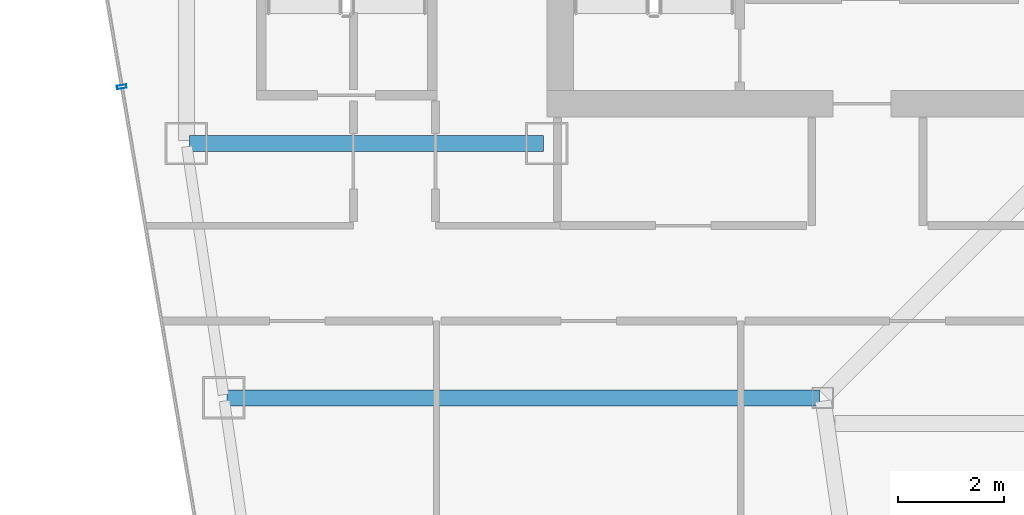
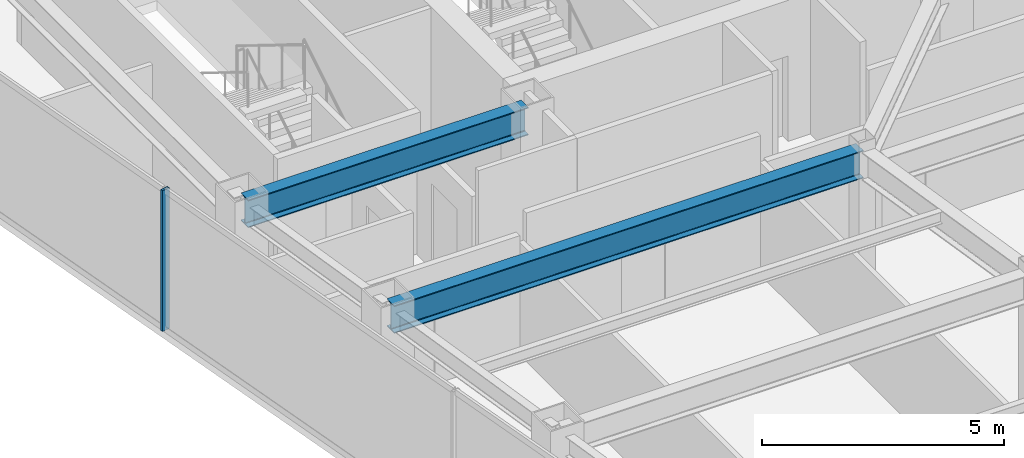
# One storey, part 11 of 36: 2 beams, 1 member, 1 element without a shape of its own.
"""IFC4 building model written with IfcOpenShell, lengths in metres."""

from ifc_helpers import new_model, si_unit, direction, frame, origin, origin_2d, place, context, subcontext, project, spatial, hollow_rectangle, i_section, extrude, material, material_profile, profile_set, type_object, element, aggregate, save


model = new_model("IFC4")

# Units and contexts
model_context = context("Model", 3, precision=1e-05, world=origin(), true_north=direction((0.0, 1.0)))
body_context = subcontext(model_context, "Body", "Model", "MODEL_VIEW")
ifc_project = project(units=[si_unit("LENGTHUNIT", "METRE"), si_unit("AREAUNIT", "SQUARE_METRE"), si_unit("VOLUMEUNIT", "CUBIC_METRE"), si_unit("PLANEANGLEUNIT", "RADIAN"), si_unit("MASSUNIT", "GRAM", prefix="KILO")], contexts=[model_context])

# Site, building, storey
site_placement = place(None, origin())
site = spatial("IfcSite", under=ifc_project, at=site_placement, CompositionType="ELEMENT")
building_placement = place(site_placement, origin())
building = spatial("IfcBuilding", under=site, at=building_placement, Name="Saevonmaru Cultural Tower", CompositionType="ELEMENT")
storey_placement = place(building_placement, frame((0.0, 0.0, 201.800048828125)))
storey = spatial("IfcBuildingStorey", under=building, at=storey_placement, Name="L46", CompositionType="ELEMENT", Elevation=201.800048828125)

# Beams
ifc_material_1 = material(Name="Steel SM355", Category="steel")
ifc_material_profile_1 = material_profile(ifc_material_1, i_section(OverallWidth=0.300048828125, OverallDepth=0.699951171875, WebThickness=0.012939453125, FlangeThickness=0.02392578125, FilletRadius=0.02587890625, at=origin_2d()), Name="H-700x300x13x24")
ifc_profile_set_1 = profile_set([ifc_material_profile_1], Name="Steel SM355")
beam_type = type_object("IfcBeamType", Name="BM-G-H700", PredefinedType="BEAM", material=ifc_profile_set_1)
beam_1_placement = place(storey_placement, frame((6.860107421875, 42.39990234375, 3.199951171875), z_axis=(1.0, 0.0, 0.0), x_axis=(0.0, 1.0, 0.0)))
element("IfcBeam", 1, at=beam_1_placement, inside=storey, type_object=beam_type, Name="L46 Core South Girder 1", PredefinedType="BEAM", context=body_context, shape_type="SweptSolid", body=[
    extrude(i_section(OverallWidth=0.300048828125, OverallDepth=0.699951171875, WebThickness=0.012939453125, FlangeThickness=0.02392578125, FilletRadius=0.02587890625, at=origin_2d()), origin(), (0.0, 0.0, 1.0), 6.679931640625),
])
beam_2_placement = place(storey_placement, frame((7.568115234375, 37.60009765625, 3.199951171875), z_axis=(1.0, 0.0, 0.0), x_axis=(0.0, 1.0, 0.0)))
element("IfcBeam", 2, at=beam_2_placement, inside=storey, type_object=beam_type, Name="L46 West Wing Transverse Girder 4", PredefinedType="BEAM", context=body_context, shape_type="SweptSolid", body=[
    extrude(i_section(OverallWidth=0.300048828125, OverallDepth=0.699951171875, WebThickness=0.012939453125, FlangeThickness=0.02392578125, FilletRadius=0.02587890625, at=origin_2d()), origin(), (0.0, 0.0, 1.0), 11.179931640625),
])

# Curtain wall, member
ifc_material_2 = material(Name="Satin Bronze Anodised Aluminium", Category="aluminium")
curtain_wall_type = type_object("IfcCurtainWallType", Name="CW-TYP-B", PredefinedType="NOTDEFINED", material=ifc_material_2)
curtain_wall_placement = place(storey_placement, origin())
curtain_wall = element("IfcCurtainWall", 3, at=curtain_wall_placement, inside=storey, type_object=curtain_wall_type, Name="L46 Unitised Curtain Wall E12", PredefinedType="NOTDEFINED")
ifc_material_profile_2 = material_profile(ifc_material_2, hollow_rectangle(XDim=0.06494140625, YDim=0.179931640625, WallThickness=0.00390625, at=origin_2d()), Name="ALU-MULL-180x65x4")
ifc_profile_set_2 = profile_set([ifc_material_profile_2], Name="Satin Bronze Anodised Aluminium")
member_type = type_object("IfcMemberType", Name="ML-CW-180x65", PredefinedType="MULLION", material=ifc_profile_set_2)
member_placement = place(storey_placement, frame((5.579345703125, 43.470458984375, 0.0), z_axis=(0.0, 0.0, 1.0), x_axis=(0.16692169721, -0.985970155228, 0.0)))
member = element("IfcMember", 4, at=member_placement, type_object=member_type, Name="CW-TW-L46-E12 mullion 2", PredefinedType="MULLION", context=body_context, shape_type="SweptSolid", body=[
    extrude(hollow_rectangle(XDim=0.06494140625, YDim=0.179931640625, WallThickness=0.00390625, at=origin_2d()), origin(), (0.0, 0.0, 1.0), 3.550048828125),
])
aggregate(curtain_wall, [member])

save(model, "model.ifc")
